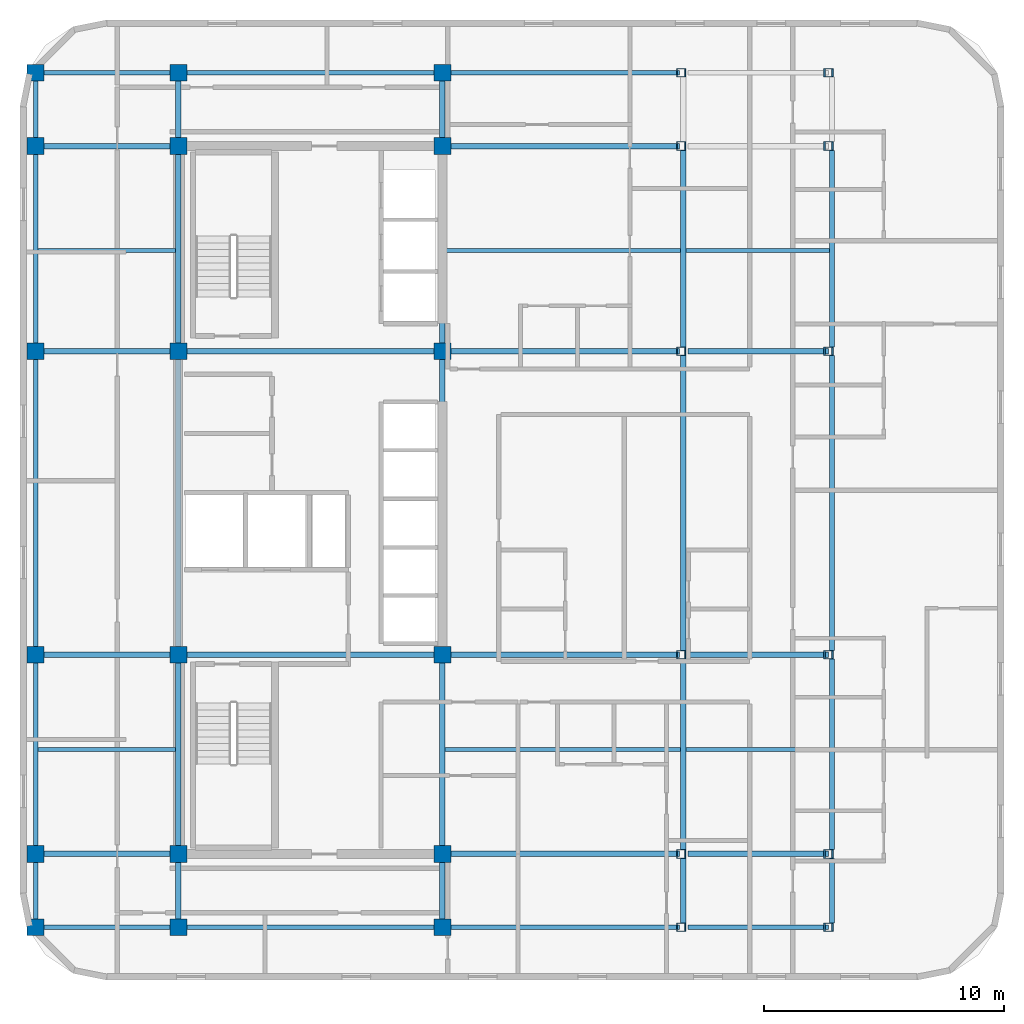
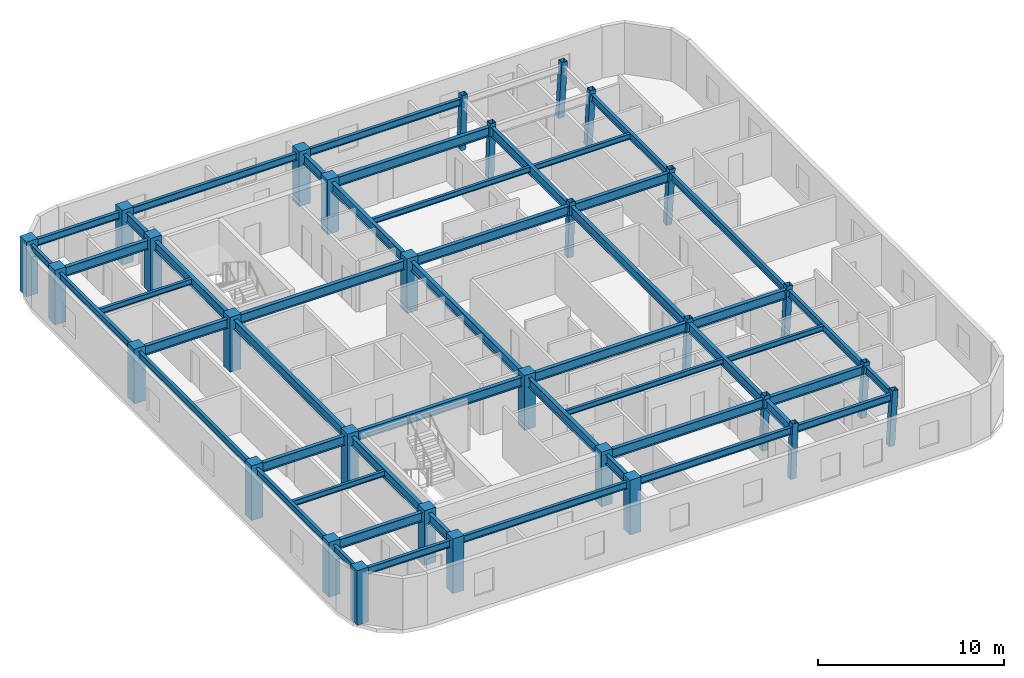
# One storey, part 1 of 8: 49 beams, 30 columns.
"""IFC4 building model written with IfcOpenShell, lengths in metres."""

from ifc_helpers import new_model, si_unit, direction, frame, origin, origin_2d, place, context, subcontext, project, spatial, rectangle, hollow_rectangle, i_section, extrude, material, material_profile, profile_set, type_object, element, save


model = new_model("IFC4")

# Units and contexts
model_context = context("Model", 3, precision=1e-05, world=origin(), true_north=direction((0.0, 1.0)))
body_context = subcontext(model_context, "Body", "Model", "MODEL_VIEW")
ifc_project = project(units=[si_unit("LENGTHUNIT", "METRE"), si_unit("AREAUNIT", "SQUARE_METRE"), si_unit("VOLUMEUNIT", "CUBIC_METRE"), si_unit("PLANEANGLEUNIT", "RADIAN"), si_unit("MASSUNIT", "GRAM", prefix="KILO")], contexts=[model_context])

# Site, building, storey
site_placement = place(None, origin())
site = spatial("IfcSite", under=ifc_project, at=site_placement, CompositionType="ELEMENT")
building_placement = place(site_placement, origin())
building = spatial("IfcBuilding", under=site, at=building_placement, Name="Ochreholt Gables", CompositionType="ELEMENT")
storey_placement = place(building_placement, frame((0.0, 0.0, 148.199951171875)))
storey = spatial("IfcBuildingStorey", under=building, at=storey_placement, Name="L38", CompositionType="ELEMENT", Elevation=148.199951171875)

# Columns
ifc_material_1 = material(Name="Steel CSA G40.21 350W", Category="steel")
ifc_material_profile_1 = material_profile(ifc_material_1, hollow_rectangle(XDim=0.35595703125, YDim=0.35595703125, WallThickness=0.01611328125, at=origin_2d()), Name="HSS356X356X16")
ifc_profile_set_1 = profile_set([ifc_material_profile_1], Name="Steel CSA G40.21 350W")
column_type_1 = type_object("IfcColumnType", Name="COL-HSS356-RAK", PredefinedType="COLUMN", material=ifc_profile_set_1)
for number, where, z_axis, x_axis, name in (
    (1, (45.123046875, 9.25, 0.0), (0.034971136209, 0.0, 0.999388322742), (0.0, 1.0, 0.0), "L38 Column EMY2"),
    (2, (45.123046875, 17.550048828125, 0.0), (0.034971136209, 0.0, 0.999388322742), (0.0, 1.0, 0.0), "L38 Column EMY3"),
    (3, (45.123046875, 30.199951171875, 0.0), (0.034971136209, 0.0, 0.999388322742), (0.0, 1.0, 0.0), "L38 Column EMY4"),
    (4, (45.123046875, 38.75, 0.0), (0.034971136209, 0.0, 0.999388322742), (0.0, 1.0, 0.0), "L38 Column EMY5"),
):
    element("IfcColumn", number, at=place(storey_placement, frame(where, z_axis=z_axis, x_axis=x_axis)), inside=storey, type_object=column_type_1, Name=name, PredefinedType="COLUMN", context=body_context, shape_type="SweptSolid", body=[
        extrude(hollow_rectangle(XDim=0.35595703125, YDim=0.35595703125, WallThickness=0.01611328125, at=origin_2d()), origin(), (0.0, 0.0, 1.0), 3.602294921875),
    ])
ifc_material_profile_2 = material_profile(ifc_material_1, hollow_rectangle(XDim=0.35595703125, YDim=0.35595703125, WallThickness=0.01611328125, at=origin_2d()), Name="HSS356X356X16")
ifc_profile_set_2 = profile_set([ifc_material_profile_2], Name="Steel CSA G40.21 350W")
column_type_2 = type_object("IfcColumnType", Name="COL-HSS356-RAKE", PredefinedType="COLUMN", material=ifc_profile_set_2)
for number, where, z_axis, x_axis, name in (
    (5, (45.123046875, 6.199951171875, 0.0), (0.034971136209, 0.0, 0.999388322742), (0.0, 1.0, 0.0), "L38 Column EMY1"),
    (6, (45.123046875, 41.800048828125, 0.0), (0.034971136209, 0.0, 0.999388322742), (0.0, 1.0, 0.0), "L38 Column EMY6"),
):
    element("IfcColumn", number, at=place(storey_placement, frame(where, z_axis=z_axis, x_axis=x_axis)), inside=storey, type_object=column_type_2, Name=name, PredefinedType="COLUMN", context=body_context, shape_type="SweptSolid", body=[
        extrude(hollow_rectangle(XDim=0.35595703125, YDim=0.35595703125, WallThickness=0.01611328125, at=origin_2d()), origin(), (0.0, 0.0, 1.0), 3.602294921875),
    ])
for number, where, z_axis, x_axis, name in (
    (7, (51.25244140625, 6.199951171875, 0.0), (0.057884606321, 0.0, 0.998323280481), (0.0, 1.0, 0.0), "L38 Column EEY1"),
    (8, (51.25244140625, 9.25, 0.0), (0.057884606321, 0.0, 0.998323280481), (0.0, 1.0, 0.0), "L38 Column EEY2"),
    (9, (51.25244140625, 17.550048828125, 0.0), (0.057884606321, 0.0, 0.998323280481), (0.0, 1.0, 0.0), "L38 Column EEY3"),
    (10, (51.25244140625, 30.199951171875, 0.0), (0.057884606321, 0.0, 0.998323280481), (0.0, 1.0, 0.0), "L38 Column EEY4"),
    (11, (51.25244140625, 38.75, 0.0), (0.057884606321, 0.0, 0.998323280481), (0.0, 1.0, 0.0), "L38 Column EEY5"),
    (12, (51.25244140625, 41.800048828125, 0.0), (0.057884606321, 0.0, 0.998323280481), (0.0, 1.0, 0.0), "L38 Column EEY6"),
):
    element("IfcColumn", number, at=place(storey_placement, frame(where, z_axis=z_axis, x_axis=x_axis)), inside=storey, type_object=column_type_2, Name=name, PredefinedType="COLUMN", context=body_context, shape_type="SweptSolid", body=[
        extrude(hollow_rectangle(XDim=0.35595703125, YDim=0.35595703125, WallThickness=0.01611328125, at=origin_2d()), origin(), (0.0, 0.0, 1.0), 3.606201171875),
    ])
ifc_material_2 = material(Name="Concrete 50 MPa", Category="concrete")
ifc_material_profile_3 = material_profile(ifc_material_2, rectangle(XDim=0.699951171875, YDim=0.699951171875, at=origin_2d()), Name="RC700X700")
ifc_profile_set_3 = profile_set([ifc_material_profile_3], Name="Concrete 50 MPa")
column_type_3 = type_object("IfcColumnType", Name="COL-RC700-EXT", PredefinedType="COLUMN", material=ifc_profile_set_3)
for number, where, z_axis, x_axis, name in (
    (13, (18.25, 6.199951171875, 0.0), (0.0, 0.0, 1.0), (1.0, 0.0, 0.0), "L38 Column W3Y1"),
    (14, (18.25, 9.25, 0.0), (0.0, 0.0, 1.0), (1.0, 0.0, 0.0), "L38 Column W3Y2"),
    (15, (18.25, 17.550048828125, 0.0), (0.0, 0.0, 1.0), (1.0, 0.0, 0.0), "L38 Column W3Y3"),
    (16, (18.25, 30.199951171875, 0.0), (0.0, 0.0, 1.0), (1.0, 0.0, 0.0), "L38 Column W3Y4"),
    (17, (18.25, 38.75, 0.0), (0.0, 0.0, 1.0), (1.0, 0.0, 0.0), "L38 Column W3Y5"),
    (18, (18.25, 41.800048828125, 0.0), (0.0, 0.0, 1.0), (1.0, 0.0, 0.0), "L38 Column W3Y6"),
    (19, (24.199951171875, 6.199951171875, 0.0), (0.0, 0.0, 1.0), (1.0, 0.0, 0.0), "L38 Column C1Y1"),
    (20, (24.199951171875, 41.800048828125, 0.0), (0.0, 0.0, 1.0), (1.0, 0.0, 0.0), "L38 Column C1Y6"),
    (21, (35.199951171875, 6.199951171875, 0.0), (0.0, 0.0, 1.0), (1.0, 0.0, 0.0), "L38 Column C2Y1"),
    (22, (35.199951171875, 41.800048828125, 0.0), (0.0, 0.0, 1.0), (1.0, 0.0, 0.0), "L38 Column C2Y6"),
):
    element("IfcColumn", number, at=place(storey_placement, frame(where, z_axis=z_axis, x_axis=x_axis)), inside=storey, type_object=column_type_3, Name=name, PredefinedType="COLUMN", context=body_context, shape_type="SweptSolid", body=[
        extrude(rectangle(XDim=0.699951171875, YDim=0.699951171875, at=origin_2d()), origin(), (0.0, 0.0, 1.0), 3.60009765625),
    ])
ifc_material_profile_4 = material_profile(ifc_material_2, rectangle(XDim=0.699951171875, YDim=0.699951171875, at=origin_2d()), Name="RC700X700")
ifc_profile_set_4 = profile_set([ifc_material_profile_4], Name="Concrete 50 MPa")
column_type_4 = type_object("IfcColumnType", Name="COL-RC700-INT", PredefinedType="COLUMN", material=ifc_profile_set_4)
for number, where, z_axis, x_axis, name in (
    (23, (24.199951171875, 9.25, 0.0), (0.0, 0.0, 1.0), (1.0, 0.0, 0.0), "L38 Column C1Y2"),
    (24, (24.199951171875, 17.550048828125, 0.0), (0.0, 0.0, 1.0), (1.0, 0.0, 0.0), "L38 Column C1Y3"),
    (25, (24.199951171875, 30.199951171875, 0.0), (0.0, 0.0, 1.0), (1.0, 0.0, 0.0), "L38 Column C1Y4"),
    (26, (24.199951171875, 38.75, 0.0), (0.0, 0.0, 1.0), (1.0, 0.0, 0.0), "L38 Column C1Y5"),
    (27, (35.199951171875, 9.25, 0.0), (0.0, 0.0, 1.0), (1.0, 0.0, 0.0), "L38 Column C2Y2"),
    (28, (35.199951171875, 17.550048828125, 0.0), (0.0, 0.0, 1.0), (1.0, 0.0, 0.0), "L38 Column C2Y3"),
    (29, (35.199951171875, 30.199951171875, 0.0), (0.0, 0.0, 1.0), (1.0, 0.0, 0.0), "L38 Column C2Y4"),
    (30, (35.199951171875, 38.75, 0.0), (0.0, 0.0, 1.0), (1.0, 0.0, 0.0), "L38 Column C2Y5"),
):
    element("IfcColumn", number, at=place(storey_placement, frame(where, z_axis=z_axis, x_axis=x_axis)), inside=storey, type_object=column_type_4, Name=name, PredefinedType="COLUMN", context=body_context, shape_type="SweptSolid", body=[
        extrude(rectangle(XDim=0.699951171875, YDim=0.699951171875, at=origin_2d()), origin(), (0.0, 0.0, 1.0), 3.60009765625),
    ])

# Beams
ifc_material_profile_5 = material_profile(ifc_material_1, i_section(OverallWidth=0.22900390625, OverallDepth=0.612060546875, WebThickness=0.011962890625, FlangeThickness=0.01953125, at=origin_2d()), Name="W610X125")
ifc_profile_set_5 = profile_set([ifc_material_profile_5], Name="Steel CSA G40.21 350W")
beam_type_1 = type_object("IfcBeamType", Name="BM-G-W610B", PredefinedType="BEAM", material=ifc_profile_set_5)
beam_1_placement = place(storey_placement, frame((18.599609375, 9.25, 3.053955078125), z_axis=(1.0, 0.0, 0.0), x_axis=(0.0, 1.0, 0.0)))
element("IfcBeam", 31, at=beam_1_placement, inside=storey, type_object=beam_type_1, Name="L38 Beam TBG-L38-W3C1-Y2", PredefinedType="BEAM", context=body_context, shape_type="SweptSolid", body=[
    extrude(i_section(OverallWidth=0.22900390625, OverallDepth=0.612060546875, WebThickness=0.011962890625, FlangeThickness=0.01953125, at=origin_2d()), origin(), (0.0, 0.0, 1.0), 5.250732421875),
])
beam_2_placement = place(storey_placement, frame((35.549560546875, 9.25, 3.053955078125), z_axis=(1.0, 0.0, 0.0), x_axis=(0.0, 1.0, 0.0)))
element("IfcBeam", 32, at=beam_2_placement, inside=storey, type_object=beam_type_1, Name="L38 Beam TBG-L38-C2EM-Y2", PredefinedType="BEAM", context=body_context, shape_type="SweptSolid", body=[
    extrude(i_section(OverallWidth=0.22900390625, OverallDepth=0.612060546875, WebThickness=0.011962890625, FlangeThickness=0.01953125, at=origin_2d()), origin(), (0.0, 0.0, 1.0), 9.521728515625),
])
beam_3_placement = place(storey_placement, frame((45.426513671875, 9.25, 3.053955078125), z_axis=(1.0, 0.0, 0.0), x_axis=(0.0, 1.0, 0.0)))
element("IfcBeam", 33, at=beam_3_placement, inside=storey, type_object=beam_type_1, Name="L38 Beam TBG-L38-EMEE-Y2", PredefinedType="BEAM", context=body_context, shape_type="SweptSolid", body=[
    extrude(i_section(OverallWidth=0.22900390625, OverallDepth=0.612060546875, WebThickness=0.011962890625, FlangeThickness=0.01953125, at=origin_2d()), origin(), (0.0, 0.0, 1.0), 5.857177734375),
])
beam_4_placement = place(storey_placement, frame((18.599609375, 17.550048828125, 3.053955078125), z_axis=(1.0, 0.0, 0.0), x_axis=(0.0, 1.0, 0.0)))
element("IfcBeam", 34, at=beam_4_placement, inside=storey, type_object=beam_type_1, Name="L38 Beam TBG-L38-W3C1-Y3", PredefinedType="BEAM", context=body_context, shape_type="SweptSolid", body=[
    extrude(i_section(OverallWidth=0.22900390625, OverallDepth=0.612060546875, WebThickness=0.011962890625, FlangeThickness=0.01953125, at=origin_2d()), origin(), (0.0, 0.0, 1.0), 5.250732421875),
])
beam_5_placement = place(storey_placement, frame((24.549560546875, 17.550048828125, 3.053955078125), z_axis=(1.0, 0.0, 0.0), x_axis=(0.0, 1.0, 0.0)))
element("IfcBeam", 35, at=beam_5_placement, inside=storey, type_object=beam_type_1, Name="L38 Beam TBG-L38-C1C2-Y3", PredefinedType="BEAM", context=body_context, shape_type="SweptSolid", body=[
    extrude(i_section(OverallWidth=0.22900390625, OverallDepth=0.612060546875, WebThickness=0.011962890625, FlangeThickness=0.01953125, at=origin_2d()), origin(), (0.0, 0.0, 1.0), 10.30078125),
])
beam_6_placement = place(storey_placement, frame((35.549560546875, 17.550048828125, 3.053955078125), z_axis=(1.0, 0.0, 0.0), x_axis=(0.0, 1.0, 0.0)))
element("IfcBeam", 36, at=beam_6_placement, inside=storey, type_object=beam_type_1, Name="L38 Beam TBG-L38-C2EM-Y3", PredefinedType="BEAM", context=body_context, shape_type="SweptSolid", body=[
    extrude(i_section(OverallWidth=0.22900390625, OverallDepth=0.612060546875, WebThickness=0.011962890625, FlangeThickness=0.01953125, at=origin_2d()), origin(), (0.0, 0.0, 1.0), 9.521728515625),
])
beam_7_placement = place(storey_placement, frame((45.426513671875, 17.550048828125, 3.053955078125), z_axis=(1.0, 0.0, 0.0), x_axis=(0.0, 1.0, 0.0)))
element("IfcBeam", 37, at=beam_7_placement, inside=storey, type_object=beam_type_1, Name="L38 Beam TBG-L38-EMEE-Y3", PredefinedType="BEAM", context=body_context, shape_type="SweptSolid", body=[
    extrude(i_section(OverallWidth=0.22900390625, OverallDepth=0.612060546875, WebThickness=0.011962890625, FlangeThickness=0.01953125, at=origin_2d()), origin(), (0.0, 0.0, 1.0), 5.857177734375),
])
beam_8_placement = place(storey_placement, frame((18.599609375, 30.199951171875, 3.053955078125), z_axis=(1.0, 0.0, 0.0), x_axis=(0.0, 1.0, 0.0)))
element("IfcBeam", 38, at=beam_8_placement, inside=storey, type_object=beam_type_1, Name="L38 Beam TBG-L38-W3C1-Y4", PredefinedType="BEAM", context=body_context, shape_type="SweptSolid", body=[
    extrude(i_section(OverallWidth=0.22900390625, OverallDepth=0.612060546875, WebThickness=0.011962890625, FlangeThickness=0.01953125, at=origin_2d()), origin(), (0.0, 0.0, 1.0), 5.250732421875),
])
beam_9_placement = place(storey_placement, frame((24.549560546875, 30.199951171875, 3.053955078125), z_axis=(1.0, 0.0, 0.0), x_axis=(0.0, 1.0, 0.0)))
element("IfcBeam", 39, at=beam_9_placement, inside=storey, type_object=beam_type_1, Name="L38 Beam TBG-L38-C1C2-Y4", PredefinedType="BEAM", context=body_context, shape_type="SweptSolid", body=[
    extrude(i_section(OverallWidth=0.22900390625, OverallDepth=0.612060546875, WebThickness=0.011962890625, FlangeThickness=0.01953125, at=origin_2d()), origin(), (0.0, 0.0, 1.0), 10.30078125),
])
beam_10_placement = place(storey_placement, frame((35.549560546875, 30.199951171875, 3.053955078125), z_axis=(1.0, 0.0, 0.0), x_axis=(0.0, 1.0, 0.0)))
element("IfcBeam", 40, at=beam_10_placement, inside=storey, type_object=beam_type_1, Name="L38 Beam TBG-L38-C2EM-Y4", PredefinedType="BEAM", context=body_context, shape_type="SweptSolid", body=[
    extrude(i_section(OverallWidth=0.22900390625, OverallDepth=0.612060546875, WebThickness=0.011962890625, FlangeThickness=0.01953125, at=origin_2d()), origin(), (0.0, 0.0, 1.0), 9.521728515625),
])
beam_11_placement = place(storey_placement, frame((45.426513671875, 30.199951171875, 3.053955078125), z_axis=(1.0, 0.0, 0.0), x_axis=(0.0, 1.0, 0.0)))
element("IfcBeam", 41, at=beam_11_placement, inside=storey, type_object=beam_type_1, Name="L38 Beam TBG-L38-EMEE-Y4", PredefinedType="BEAM", context=body_context, shape_type="SweptSolid", body=[
    extrude(i_section(OverallWidth=0.22900390625, OverallDepth=0.612060546875, WebThickness=0.011962890625, FlangeThickness=0.01953125, at=origin_2d()), origin(), (0.0, 0.0, 1.0), 5.857177734375),
])
beam_12_placement = place(storey_placement, frame((18.599609375, 38.75, 3.053955078125), z_axis=(1.0, 0.0, 0.0), x_axis=(0.0, 1.0, 0.0)))
element("IfcBeam", 42, at=beam_12_placement, inside=storey, type_object=beam_type_1, Name="L38 Beam TBG-L38-W3C1-Y5", PredefinedType="BEAM", context=body_context, shape_type="SweptSolid", body=[
    extrude(i_section(OverallWidth=0.22900390625, OverallDepth=0.612060546875, WebThickness=0.011962890625, FlangeThickness=0.01953125, at=origin_2d()), origin(), (0.0, 0.0, 1.0), 5.250732421875),
])
beam_13_placement = place(storey_placement, frame((35.549560546875, 38.75, 3.053955078125), z_axis=(1.0, 0.0, 0.0), x_axis=(0.0, 1.0, 0.0)))
element("IfcBeam", 43, at=beam_13_placement, inside=storey, type_object=beam_type_1, Name="L38 Beam TBG-L38-C2EM-Y5", PredefinedType="BEAM", context=body_context, shape_type="SweptSolid", body=[
    extrude(i_section(OverallWidth=0.22900390625, OverallDepth=0.612060546875, WebThickness=0.011962890625, FlangeThickness=0.01953125, at=origin_2d()), origin(), (0.0, 0.0, 1.0), 9.521728515625),
])
beam_14_placement = place(storey_placement, frame((24.199951171875, 6.549560546875, 3.053955078125), z_axis=(0.0, 1.0, 0.0), x_axis=(-1.0, 0.0, 0.0)))
element("IfcBeam", 44, at=beam_14_placement, inside=storey, type_object=beam_type_1, Name="L38 Beam TBN-L38-C1-Y1Y2", PredefinedType="BEAM", context=body_context, shape_type="SweptSolid", body=[
    extrude(i_section(OverallWidth=0.22900390625, OverallDepth=0.612060546875, WebThickness=0.011962890625, FlangeThickness=0.01953125, at=origin_2d()), origin(), (0.0, 0.0, 1.0), 2.350830078125),
])
beam_15_placement = place(storey_placement, frame((24.199951171875, 9.599609375, 3.053955078125), z_axis=(0.0, 1.0, 0.0), x_axis=(-1.0, 0.0, 0.0)))
element("IfcBeam", 45, at=beam_15_placement, inside=storey, type_object=beam_type_1, Name="L38 Beam TBN-L38-C1-Y2Y3", PredefinedType="BEAM", context=body_context, shape_type="SweptSolid", body=[
    extrude(i_section(OverallWidth=0.22900390625, OverallDepth=0.612060546875, WebThickness=0.011962890625, FlangeThickness=0.01953125, at=origin_2d()), origin(), (0.0, 0.0, 1.0), 7.600830078125),
])
beam_16_placement = place(storey_placement, frame((24.199951171875, 17.899658203125, 3.053955078125), z_axis=(0.0, 1.0, 0.0), x_axis=(-1.0, 0.0, 0.0)))
element("IfcBeam", 46, at=beam_16_placement, inside=storey, type_object=beam_type_1, Name="L38 Beam TBN-L38-C1-Y3Y4", PredefinedType="BEAM", context=body_context, shape_type="SweptSolid", body=[
    extrude(i_section(OverallWidth=0.22900390625, OverallDepth=0.612060546875, WebThickness=0.011962890625, FlangeThickness=0.01953125, at=origin_2d()), origin(), (0.0, 0.0, 1.0), 11.95068359375),
])
beam_17_placement = place(storey_placement, frame((24.199951171875, 30.549560546875, 3.053955078125), z_axis=(0.0, 1.0, 0.0), x_axis=(-1.0, 0.0, 0.0)))
element("IfcBeam", 47, at=beam_17_placement, inside=storey, type_object=beam_type_1, Name="L38 Beam TBN-L38-C1-Y4Y5", PredefinedType="BEAM", context=body_context, shape_type="SweptSolid", body=[
    extrude(i_section(OverallWidth=0.22900390625, OverallDepth=0.612060546875, WebThickness=0.011962890625, FlangeThickness=0.01953125, at=origin_2d()), origin(), (0.0, 0.0, 1.0), 7.850830078125),
])
for number, where, z_axis, x_axis, name in (
    (48, (24.199951171875, 39.099609375, 3.053955078125), (0.0, 1.0, 0.0), (-1.0, 0.0, 0.0), "L38 Beam TBN-L38-C1-Y5Y6"),
    (49, (35.199951171875, 6.549560546875, 3.053955078125), (0.0, 1.0, 0.0), (-1.0, 0.0, 0.0), "L38 Beam TBN-L38-C2-Y1Y2"),
):
    element("IfcBeam", number, at=place(storey_placement, frame(where, z_axis=z_axis, x_axis=x_axis)), inside=storey, type_object=beam_type_1, Name=name, PredefinedType="BEAM", context=body_context, shape_type="SweptSolid", body=[
        extrude(i_section(OverallWidth=0.22900390625, OverallDepth=0.612060546875, WebThickness=0.011962890625, FlangeThickness=0.01953125, at=origin_2d()), origin(), (0.0, 0.0, 1.0), 2.350830078125),
    ])
beam_18_placement = place(storey_placement, frame((35.199951171875, 9.599609375, 3.053955078125), z_axis=(0.0, 1.0, 0.0), x_axis=(-1.0, 0.0, 0.0)))
element("IfcBeam", 50, at=beam_18_placement, inside=storey, type_object=beam_type_1, Name="L38 Beam TBN-L38-C2-Y2Y3", PredefinedType="BEAM", context=body_context, shape_type="SweptSolid", body=[
    extrude(i_section(OverallWidth=0.22900390625, OverallDepth=0.612060546875, WebThickness=0.011962890625, FlangeThickness=0.01953125, at=origin_2d()), origin(), (0.0, 0.0, 1.0), 7.600830078125),
])
beam_19_placement = place(storey_placement, frame((35.199951171875, 17.899658203125, 3.053955078125), z_axis=(0.0, 1.0, 0.0), x_axis=(-1.0, 0.0, 0.0)))
element("IfcBeam", 51, at=beam_19_placement, inside=storey, type_object=beam_type_1, Name="L38 Beam TBN-L38-C2-Y3Y4", PredefinedType="BEAM", context=body_context, shape_type="SweptSolid", body=[
    extrude(i_section(OverallWidth=0.22900390625, OverallDepth=0.612060546875, WebThickness=0.011962890625, FlangeThickness=0.01953125, at=origin_2d()), origin(), (0.0, 0.0, 1.0), 11.95068359375),
])
beam_20_placement = place(storey_placement, frame((35.199951171875, 30.549560546875, 3.053955078125), z_axis=(0.0, 1.0, 0.0), x_axis=(-1.0, 0.0, 0.0)))
element("IfcBeam", 52, at=beam_20_placement, inside=storey, type_object=beam_type_1, Name="L38 Beam TBN-L38-C2-Y4Y5", PredefinedType="BEAM", context=body_context, shape_type="SweptSolid", body=[
    extrude(i_section(OverallWidth=0.22900390625, OverallDepth=0.612060546875, WebThickness=0.011962890625, FlangeThickness=0.01953125, at=origin_2d()), origin(), (0.0, 0.0, 1.0), 7.850830078125),
])
beam_21_placement = place(storey_placement, frame((35.199951171875, 39.099609375, 3.053955078125), z_axis=(0.0, 1.0, 0.0), x_axis=(-1.0, 0.0, 0.0)))
element("IfcBeam", 53, at=beam_21_placement, inside=storey, type_object=beam_type_1, Name="L38 Beam TBN-L38-C2-Y5Y6", PredefinedType="BEAM", context=body_context, shape_type="SweptSolid", body=[
    extrude(i_section(OverallWidth=0.22900390625, OverallDepth=0.612060546875, WebThickness=0.011962890625, FlangeThickness=0.01953125, at=origin_2d()), origin(), (0.0, 0.0, 1.0), 2.350830078125),
])
beam_22_placement = place(storey_placement, frame((45.23193359375, 6.377685546875, 3.053955078125), z_axis=(0.0, 1.0, 0.0), x_axis=(-1.0, 0.0, 0.0)))
element("IfcBeam", 54, at=beam_22_placement, inside=storey, type_object=beam_type_1, Name="L38 Beam TBN-L38-EM-Y1Y2", PredefinedType="BEAM", context=body_context, shape_type="SweptSolid", body=[
    extrude(i_section(OverallWidth=0.22900390625, OverallDepth=0.612060546875, WebThickness=0.011962890625, FlangeThickness=0.01953125, at=origin_2d()), origin(), (0.0, 0.0, 1.0), 2.69482421875),
])
beam_23_placement = place(storey_placement, frame((45.23193359375, 9.427490234375, 3.053955078125), z_axis=(0.0, 1.0, 0.0), x_axis=(-1.0, 0.0, 0.0)))
element("IfcBeam", 55, at=beam_23_placement, inside=storey, type_object=beam_type_1, Name="L38 Beam TBN-L38-EM-Y2Y3", PredefinedType="BEAM", context=body_context, shape_type="SweptSolid", body=[
    extrude(i_section(OverallWidth=0.22900390625, OverallDepth=0.612060546875, WebThickness=0.011962890625, FlangeThickness=0.01953125, at=origin_2d()), origin(), (0.0, 0.0, 1.0), 7.94482421875),
])
beam_24_placement = place(storey_placement, frame((45.23193359375, 17.7275390625, 3.053955078125), z_axis=(0.0, 1.0, 0.0), x_axis=(-1.0, 0.0, 0.0)))
element("IfcBeam", 56, at=beam_24_placement, inside=storey, type_object=beam_type_1, Name="L38 Beam TBN-L38-EM-Y3Y4", PredefinedType="BEAM", context=body_context, shape_type="SweptSolid", body=[
    extrude(i_section(OverallWidth=0.22900390625, OverallDepth=0.612060546875, WebThickness=0.011962890625, FlangeThickness=0.01953125, at=origin_2d()), origin(), (0.0, 0.0, 1.0), 12.294921875),
])
beam_25_placement = place(storey_placement, frame((45.23193359375, 30.377685546875, 3.053955078125), z_axis=(0.0, 1.0, 0.0), x_axis=(-1.0, 0.0, 0.0)))
element("IfcBeam", 57, at=beam_25_placement, inside=storey, type_object=beam_type_1, Name="L38 Beam TBN-L38-EM-Y4Y5", PredefinedType="BEAM", context=body_context, shape_type="SweptSolid", body=[
    extrude(i_section(OverallWidth=0.22900390625, OverallDepth=0.612060546875, WebThickness=0.011962890625, FlangeThickness=0.01953125, at=origin_2d()), origin(), (0.0, 0.0, 1.0), 8.19482421875),
])
ifc_material_profile_6 = material_profile(ifc_material_1, i_section(OverallWidth=0.172119140625, OverallDepth=0.35791015625, WebThickness=0.0078125, FlangeThickness=0.01318359375, at=origin_2d()), Name="W360X57")
ifc_profile_set_6 = profile_set([ifc_material_profile_6], Name="Steel CSA G40.21 350W")
beam_type_2 = type_object("IfcBeamType", Name="BM-J-W360B", PredefinedType="JOIST", material=ifc_profile_set_6)
beam_26_placement = place(storey_placement, frame((18.345703125, 13.60009765625, 3.18115234375), z_axis=(1.0, 0.0, 0.0), x_axis=(0.0, 1.0, 0.0)))
element("IfcBeam", 58, at=beam_26_placement, inside=storey, type_object=beam_type_2, Name="L38 Beam TBJ-L38-J1-W3C1", PredefinedType="JOIST", context=body_context, shape_type="SweptSolid", body=[
    extrude(i_section(OverallWidth=0.172119140625, OverallDepth=0.35791015625, WebThickness=0.0078125, FlangeThickness=0.01318359375, at=origin_2d()), origin(), (0.0, 0.0, 1.0), 5.740234375),
])
beam_27_placement = place(storey_placement, frame((35.314208984375, 13.60009765625, 3.18115234375), z_axis=(1.0, 0.0, 0.0), x_axis=(0.0, 1.0, 0.0)))
element("IfcBeam", 59, at=beam_27_placement, inside=storey, type_object=beam_type_2, Name="L38 Beam TBJ-L38-J1-C2EM", PredefinedType="JOIST", context=body_context, shape_type="SweptSolid", body=[
    extrude(i_section(OverallWidth=0.172119140625, OverallDepth=0.35791015625, WebThickness=0.0078125, FlangeThickness=0.01318359375, at=origin_2d()), origin(), (0.0, 0.0, 1.0), 9.8037109375),
])
beam_28_placement = place(storey_placement, frame((45.345947265625, 13.60009765625, 3.18115234375), z_axis=(1.0, 0.0, 0.0), x_axis=(0.0, 1.0, 0.0)))
element("IfcBeam", 60, at=beam_28_placement, inside=storey, type_object=beam_type_2, Name="L38 Beam TBJ-L38-J1-EMEE", PredefinedType="JOIST", context=body_context, shape_type="SweptSolid", body=[
    extrude(i_section(OverallWidth=0.172119140625, OverallDepth=0.35791015625, WebThickness=0.0078125, FlangeThickness=0.01318359375, at=origin_2d()), origin(), (0.0, 0.0, 1.0), 5.9912109375),
])
beam_29_placement = place(storey_placement, frame((18.345703125, 34.39990234375, 3.18115234375), z_axis=(1.0, 0.0, 0.0), x_axis=(0.0, 1.0, 0.0)))
element("IfcBeam", 61, at=beam_29_placement, inside=storey, type_object=beam_type_2, Name="L38 Beam TBJ-L38-J2-W3C1", PredefinedType="JOIST", context=body_context, shape_type="SweptSolid", body=[
    extrude(i_section(OverallWidth=0.172119140625, OverallDepth=0.35791015625, WebThickness=0.0078125, FlangeThickness=0.01318359375, at=origin_2d()), origin(), (0.0, 0.0, 1.0), 5.740234375),
])
beam_30_placement = place(storey_placement, frame((35.314208984375, 34.39990234375, 3.18115234375), z_axis=(1.0, 0.0, 0.0), x_axis=(0.0, 1.0, 0.0)))
element("IfcBeam", 62, at=beam_30_placement, inside=storey, type_object=beam_type_2, Name="L38 Beam TBJ-L38-J2-C2EM", PredefinedType="JOIST", context=body_context, shape_type="SweptSolid", body=[
    extrude(i_section(OverallWidth=0.172119140625, OverallDepth=0.35791015625, WebThickness=0.0078125, FlangeThickness=0.01318359375, at=origin_2d()), origin(), (0.0, 0.0, 1.0), 9.8037109375),
])
beam_31_placement = place(storey_placement, frame((45.345947265625, 34.39990234375, 3.18115234375), z_axis=(1.0, 0.0, 0.0), x_axis=(0.0, 1.0, 0.0)))
element("IfcBeam", 63, at=beam_31_placement, inside=storey, type_object=beam_type_2, Name="L38 Beam TBJ-L38-J2-EMEE", PredefinedType="JOIST", context=body_context, shape_type="SweptSolid", body=[
    extrude(i_section(OverallWidth=0.172119140625, OverallDepth=0.35791015625, WebThickness=0.0078125, FlangeThickness=0.01318359375, at=origin_2d()), origin(), (0.0, 0.0, 1.0), 5.9912109375),
])
ifc_material_profile_7 = material_profile(ifc_material_1, i_section(OverallWidth=0.19189453125, OverallDepth=0.462890625, WebThickness=0.010498046875, FlangeThickness=0.017578125, at=origin_2d()), Name="W460X89")
ifc_profile_set_7 = profile_set([ifc_material_profile_7], Name="Steel CSA G40.21 350W")
beam_type_3 = type_object("IfcBeamType", Name="BM-SP-W460A", PredefinedType="SPANDREL", material=ifc_profile_set_7)
beam_32_placement = place(storey_placement, frame((18.599609375, 6.199951171875, 3.128662109375), z_axis=(1.0, 0.0, 0.0), x_axis=(0.0, 1.0, 0.0)))
element("IfcBeam", 64, at=beam_32_placement, inside=storey, type_object=beam_type_3, Name="L38 Beam TBG-L38-W3C1-Y1", PredefinedType="SPANDREL", context=body_context, shape_type="SweptSolid", body=[
    extrude(i_section(OverallWidth=0.19189453125, OverallDepth=0.462890625, WebThickness=0.010498046875, FlangeThickness=0.017578125, at=origin_2d()), origin(), (0.0, 0.0, 1.0), 5.250732421875),
])
beam_33_placement = place(storey_placement, frame((24.549560546875, 6.199951171875, 3.128662109375), z_axis=(1.0, 0.0, 0.0), x_axis=(0.0, 1.0, 0.0)))
element("IfcBeam", 65, at=beam_33_placement, inside=storey, type_object=beam_type_3, Name="L38 Beam TBG-L38-C1C2-Y1", PredefinedType="SPANDREL", context=body_context, shape_type="SweptSolid", body=[
    extrude(i_section(OverallWidth=0.19189453125, OverallDepth=0.462890625, WebThickness=0.010498046875, FlangeThickness=0.017578125, at=origin_2d()), origin(), (0.0, 0.0, 1.0), 10.30078125),
])
beam_34_placement = place(storey_placement, frame((35.549560546875, 6.199951171875, 3.128662109375), z_axis=(1.0, 0.0, 0.0), x_axis=(0.0, 1.0, 0.0)))
element("IfcBeam", 66, at=beam_34_placement, inside=storey, type_object=beam_type_3, Name="L38 Beam TBG-L38-C2EM-Y1", PredefinedType="SPANDREL", context=body_context, shape_type="SweptSolid", body=[
    extrude(i_section(OverallWidth=0.19189453125, OverallDepth=0.462890625, WebThickness=0.010498046875, FlangeThickness=0.017578125, at=origin_2d()), origin(), (0.0, 0.0, 1.0), 9.521728515625),
])
beam_35_placement = place(storey_placement, frame((45.426513671875, 6.199951171875, 3.128662109375), z_axis=(1.0, 0.0, 0.0), x_axis=(0.0, 1.0, 0.0)))
element("IfcBeam", 67, at=beam_35_placement, inside=storey, type_object=beam_type_3, Name="L38 Beam TBG-L38-EMEE-Y1", PredefinedType="SPANDREL", context=body_context, shape_type="SweptSolid", body=[
    extrude(i_section(OverallWidth=0.19189453125, OverallDepth=0.462890625, WebThickness=0.010498046875, FlangeThickness=0.017578125, at=origin_2d()), origin(), (0.0, 0.0, 1.0), 5.857177734375),
])
beam_36_placement = place(storey_placement, frame((18.599609375, 41.800048828125, 3.128662109375), z_axis=(1.0, 0.0, 0.0), x_axis=(0.0, 1.0, 0.0)))
element("IfcBeam", 68, at=beam_36_placement, inside=storey, type_object=beam_type_3, Name="L38 Beam TBG-L38-W3C1-Y6", PredefinedType="SPANDREL", context=body_context, shape_type="SweptSolid", body=[
    extrude(i_section(OverallWidth=0.19189453125, OverallDepth=0.462890625, WebThickness=0.010498046875, FlangeThickness=0.017578125, at=origin_2d()), origin(), (0.0, 0.0, 1.0), 5.250732421875),
])
beam_37_placement = place(storey_placement, frame((24.549560546875, 41.800048828125, 3.128662109375), z_axis=(1.0, 0.0, 0.0), x_axis=(0.0, 1.0, 0.0)))
element("IfcBeam", 69, at=beam_37_placement, inside=storey, type_object=beam_type_3, Name="L38 Beam TBG-L38-C1C2-Y6", PredefinedType="SPANDREL", context=body_context, shape_type="SweptSolid", body=[
    extrude(i_section(OverallWidth=0.19189453125, OverallDepth=0.462890625, WebThickness=0.010498046875, FlangeThickness=0.017578125, at=origin_2d()), origin(), (0.0, 0.0, 1.0), 10.30078125),
])
beam_38_placement = place(storey_placement, frame((35.549560546875, 41.800048828125, 3.128662109375), z_axis=(1.0, 0.0, 0.0), x_axis=(0.0, 1.0, 0.0)))
element("IfcBeam", 70, at=beam_38_placement, inside=storey, type_object=beam_type_3, Name="L38 Beam TBG-L38-C2EM-Y6", PredefinedType="SPANDREL", context=body_context, shape_type="SweptSolid", body=[
    extrude(i_section(OverallWidth=0.19189453125, OverallDepth=0.462890625, WebThickness=0.010498046875, FlangeThickness=0.017578125, at=origin_2d()), origin(), (0.0, 0.0, 1.0), 9.521728515625),
])
beam_39_placement = place(storey_placement, frame((18.25, 6.549560546875, 3.128662109375), z_axis=(0.0, 1.0, 0.0), x_axis=(-1.0, 0.0, 0.0)))
element("IfcBeam", 71, at=beam_39_placement, inside=storey, type_object=beam_type_3, Name="L38 Beam TBN-L38-W3-Y1Y2", PredefinedType="SPANDREL", context=body_context, shape_type="SweptSolid", body=[
    extrude(i_section(OverallWidth=0.19189453125, OverallDepth=0.462890625, WebThickness=0.010498046875, FlangeThickness=0.017578125, at=origin_2d()), origin(), (0.0, 0.0, 1.0), 2.350830078125),
])
beam_40_placement = place(storey_placement, frame((18.25, 9.599609375, 3.128662109375), z_axis=(0.0, 1.0, 0.0), x_axis=(-1.0, 0.0, 0.0)))
element("IfcBeam", 72, at=beam_40_placement, inside=storey, type_object=beam_type_3, Name="L38 Beam TBN-L38-W3-Y2Y3", PredefinedType="SPANDREL", context=body_context, shape_type="SweptSolid", body=[
    extrude(i_section(OverallWidth=0.19189453125, OverallDepth=0.462890625, WebThickness=0.010498046875, FlangeThickness=0.017578125, at=origin_2d()), origin(), (0.0, 0.0, 1.0), 7.600830078125),
])
beam_41_placement = place(storey_placement, frame((18.25, 17.899658203125, 3.128662109375), z_axis=(0.0, 1.0, 0.0), x_axis=(-1.0, 0.0, 0.0)))
element("IfcBeam", 73, at=beam_41_placement, inside=storey, type_object=beam_type_3, Name="L38 Beam TBN-L38-W3-Y3Y4", PredefinedType="SPANDREL", context=body_context, shape_type="SweptSolid", body=[
    extrude(i_section(OverallWidth=0.19189453125, OverallDepth=0.462890625, WebThickness=0.010498046875, FlangeThickness=0.017578125, at=origin_2d()), origin(), (0.0, 0.0, 1.0), 11.95068359375),
])
beam_42_placement = place(storey_placement, frame((18.25, 30.549560546875, 3.128662109375), z_axis=(0.0, 1.0, 0.0), x_axis=(-1.0, 0.0, 0.0)))
element("IfcBeam", 74, at=beam_42_placement, inside=storey, type_object=beam_type_3, Name="L38 Beam TBN-L38-W3-Y4Y5", PredefinedType="SPANDREL", context=body_context, shape_type="SweptSolid", body=[
    extrude(i_section(OverallWidth=0.19189453125, OverallDepth=0.462890625, WebThickness=0.010498046875, FlangeThickness=0.017578125, at=origin_2d()), origin(), (0.0, 0.0, 1.0), 7.850830078125),
])
beam_43_placement = place(storey_placement, frame((18.25, 39.099609375, 3.128662109375), z_axis=(0.0, 1.0, 0.0), x_axis=(-1.0, 0.0, 0.0)))
element("IfcBeam", 75, at=beam_43_placement, inside=storey, type_object=beam_type_3, Name="L38 Beam TBN-L38-W3-Y5Y6", PredefinedType="SPANDREL", context=body_context, shape_type="SweptSolid", body=[
    extrude(i_section(OverallWidth=0.19189453125, OverallDepth=0.462890625, WebThickness=0.010498046875, FlangeThickness=0.017578125, at=origin_2d()), origin(), (0.0, 0.0, 1.0), 2.350830078125),
])
beam_44_placement = place(storey_placement, frame((51.432861328125, 6.377685546875, 3.128662109375), z_axis=(0.0, 1.0, 0.0), x_axis=(-1.0, 0.0, 0.0)))
element("IfcBeam", 76, at=beam_44_placement, inside=storey, type_object=beam_type_3, Name="L38 Beam TBN-L38-EE-Y1Y2", PredefinedType="SPANDREL", context=body_context, shape_type="SweptSolid", body=[
    extrude(i_section(OverallWidth=0.19189453125, OverallDepth=0.462890625, WebThickness=0.010498046875, FlangeThickness=0.017578125, at=origin_2d()), origin(), (0.0, 0.0, 1.0), 2.69482421875),
])
beam_45_placement = place(storey_placement, frame((51.432861328125, 9.427490234375, 3.128662109375), z_axis=(0.0, 1.0, 0.0), x_axis=(-1.0, 0.0, 0.0)))
element("IfcBeam", 77, at=beam_45_placement, inside=storey, type_object=beam_type_3, Name="L38 Beam TBN-L38-EE-Y2Y3", PredefinedType="SPANDREL", context=body_context, shape_type="SweptSolid", body=[
    extrude(i_section(OverallWidth=0.19189453125, OverallDepth=0.462890625, WebThickness=0.010498046875, FlangeThickness=0.017578125, at=origin_2d()), origin(), (0.0, 0.0, 1.0), 7.94482421875),
])
beam_46_placement = place(storey_placement, frame((51.432861328125, 17.7275390625, 3.128662109375), z_axis=(0.0, 1.0, 0.0), x_axis=(-1.0, 0.0, 0.0)))
element("IfcBeam", 78, at=beam_46_placement, inside=storey, type_object=beam_type_3, Name="L38 Beam TBN-L38-EE-Y3Y4", PredefinedType="SPANDREL", context=body_context, shape_type="SweptSolid", body=[
    extrude(i_section(OverallWidth=0.19189453125, OverallDepth=0.462890625, WebThickness=0.010498046875, FlangeThickness=0.017578125, at=origin_2d()), origin(), (0.0, 0.0, 1.0), 12.294921875),
])
beam_47_placement = place(storey_placement, frame((51.432861328125, 30.377685546875, 3.128662109375), z_axis=(0.0, 1.0, 0.0), x_axis=(-1.0, 0.0, 0.0)))
element("IfcBeam", 79, at=beam_47_placement, inside=storey, type_object=beam_type_3, Name="L38 Beam TBN-L38-EE-Y4Y5", PredefinedType="SPANDREL", context=body_context, shape_type="SweptSolid", body=[
    extrude(i_section(OverallWidth=0.19189453125, OverallDepth=0.462890625, WebThickness=0.010498046875, FlangeThickness=0.017578125, at=origin_2d()), origin(), (0.0, 0.0, 1.0), 8.19482421875),
])

save(model, "model.ifc")
